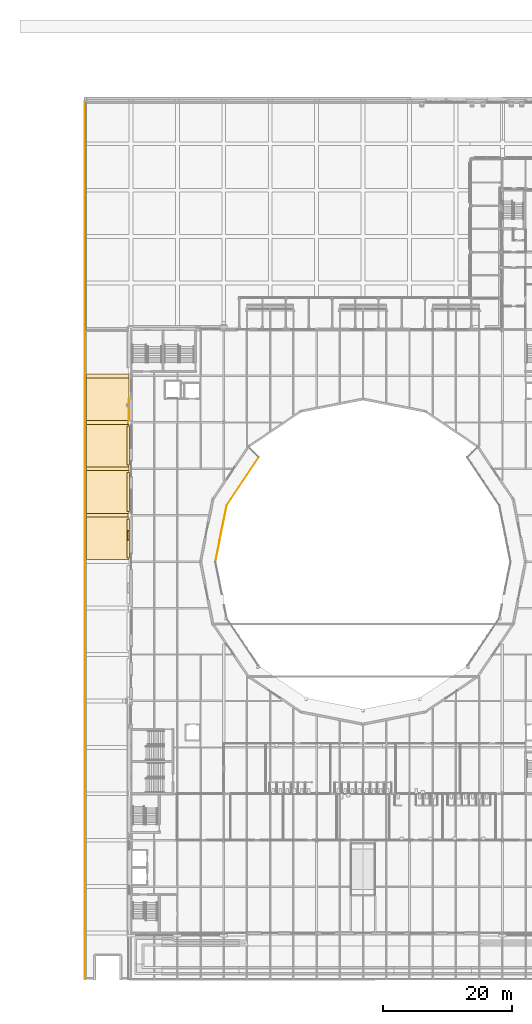
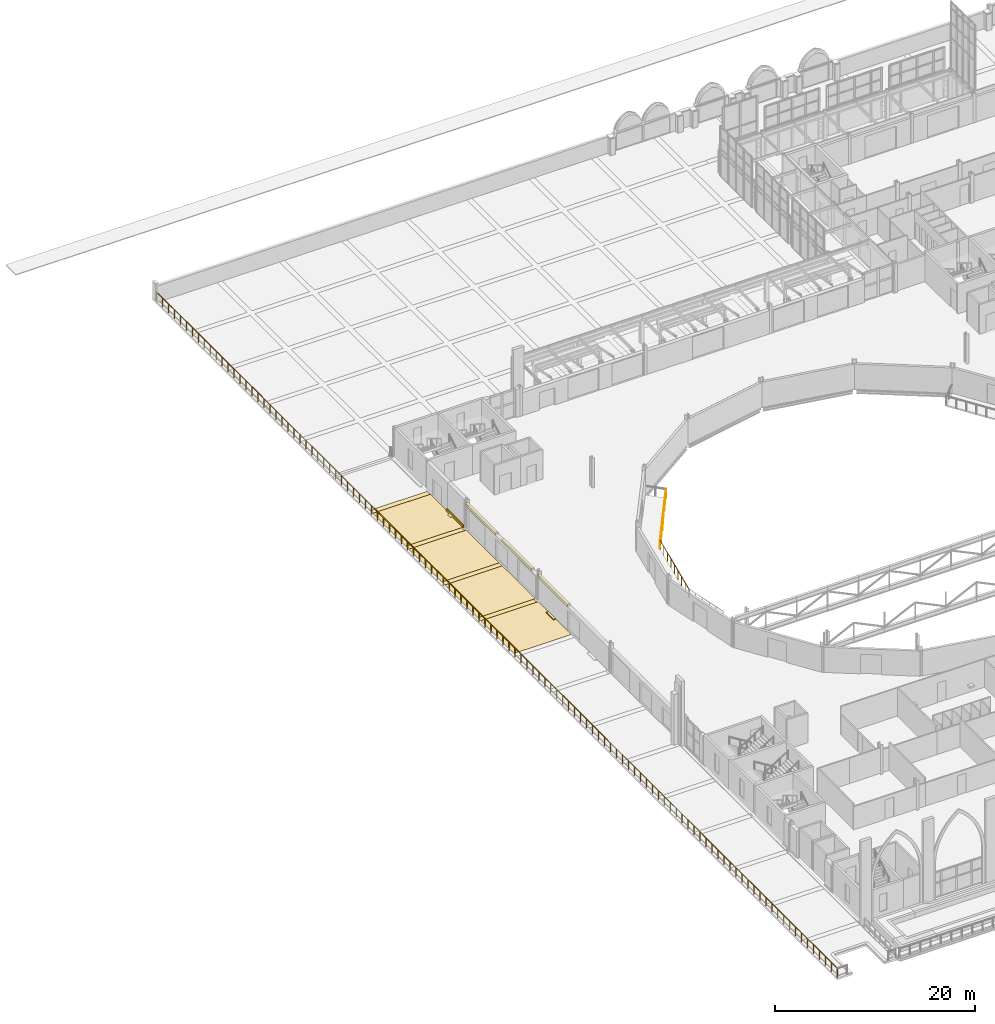
# One storey, part 110 of 143: 13 coverings, 3 railings.
"""IFC4 building model written with IfcOpenShell, lengths in metres."""

from ifc_helpers import new_model, si_unit, direction, frame, origin, origin_2d, place, context, subcontext, project, spatial, polyline, rectangle, circle, outline, extrude, material, layer, layer_set, type_object, element, save


model = new_model("IFC4")

# Units and contexts
model_context = context("Model", 3, precision=1e-05, world=origin(), true_north=direction((0.0, 1.0)))
body_context = subcontext(model_context, "Body", "Model", "MODEL_VIEW")
ifc_project = project(units=[si_unit("LENGTHUNIT", "METRE"), si_unit("AREAUNIT", "SQUARE_METRE"), si_unit("VOLUMEUNIT", "CUBIC_METRE"), si_unit("PLANEANGLEUNIT", "RADIAN"), si_unit("MASSUNIT", "GRAM", prefix="KILO")], contexts=[model_context])

# Site, building, storey
site_placement = place(None, origin())
site = spatial("IfcSite", under=ifc_project, at=site_placement, CompositionType="ELEMENT")
building_placement = place(site_placement, origin())
building = spatial("IfcBuilding", under=site, at=building_placement, Name="Kupolbacken Congress Centre", CompositionType="ELEMENT")
storey_placement = place(building_placement, frame((0.0, 0.0, 7.199951171875)))
storey = spatial("IfcBuildingStorey", under=building, at=storey_placement, Name="L02", CompositionType="ELEMENT", Elevation=7.199951171875)

# Coverings
ifc_material_1 = material(Name="Limestone cladding", Category="masonry")
ifc_layer_1 = layer(ifc_material_1, 0.1201171875)
ifc_layer_set_1 = layer_set([ifc_layer_1], Name="Limestone cladding")
covering_type_1 = type_object("IfcCoveringType", Name="CV1 limestone cladding band 120", PredefinedType="CLADDING", material=ifc_layer_set_1)
covering_1_placement = place(storey_placement, frame((6.919921875, 109.91259765625, 0.0), z_axis=(0.0, 0.0, 1.0), x_axis=(0.0, -1.0, 0.0)))
element("IfcCovering", 1, at=covering_1_placement, inside=storey, type_object=covering_type_1, Name="E/P/W/L02/288/band", PredefinedType="CLADDING", context=body_context, shape_type="SweptSolid", body=[
    extrude(rectangle(XDim=3.375, YDim=0.1201171875, at=origin_2d()), origin(), (0.0, 0.0, 1.0), 0.300048828125),
])
ifc_material_2 = material(Name="Limestone cladding", Category="masonry")
ifc_layer_2 = layer(ifc_material_2, 0.35009765625)
ifc_layer_set_2 = layer_set([ifc_layer_2], Name="Limestone cladding")
covering_type_2 = type_object("IfcCoveringType", Name="CV3 limestone pilaster strip 350", PredefinedType="CLADDING", material=ifc_layer_set_2)
for number, where, z_axis, x_axis, name in (
    (2, (6.804931640625, 90.0, 3.2998046875), (0.0, 0.0, 1.0), (0.0, 1.0, 0.0), "F/HR/P/W/string/10.8/03"),
    (3, (6.804931640625, 97.199951171875, 3.2998046875), (0.0, 0.0, 1.0), (0.0, 1.0, 0.0), "F/HR/P/W/string/10.8/04"),
    (4, (6.804931640625, 104.39990234375, 3.2998046875), (0.0, 0.0, 1.0), (0.0, 1.0, 0.0), "F/HR/P/W/string/10.8/05"),
):
    element("IfcCovering", number, at=place(storey_placement, frame(where, z_axis=z_axis, x_axis=x_axis)), inside=storey, type_object=covering_type_2, Name=name, PredefinedType="CLADDING", context=body_context, shape_type="SweptSolid", body=[
        extrude(rectangle(XDim=6.0, YDim=0.35009765625, at=origin_2d()), origin(), (0.0, 0.0, 1.0), 0.300048828125),
    ])
ifc_material_3 = material(Name="Limestone cladding", Category="masonry")
ifc_layer_3 = layer(ifc_material_3, 0.02001953125)
ifc_layer_set_3 = layer_set([ifc_layer_3], Name="Limestone cladding")
covering_type_3 = type_object("IfcCoveringType", Name="GF1 limestone paving 20", PredefinedType="FLOORING", material=ifc_layer_set_3)
covering_2_placement = place(storey_placement, origin())
element("IfcCovering", 5, at=covering_2_placement, inside=storey, type_object=covering_type_3, Name="West paving band", PredefinedType="FLOORING", context=body_context, shape_type="SweptSolid", body=[
    extrude(outline(polyline([(0.301025390625, 93.300048828125), (0.301025390625, 93.89990234375), (6.82568359375, 93.89990234375), (6.80078125, 93.86669921875), (6.776611328125, 93.826416015625), (6.756591796875, 93.78369140625), (6.740478515625, 93.7392578125), (6.729248046875, 93.693603515625), (6.722412109375, 93.647216796875), (6.719970703125, 93.60009765625), (6.722412109375, 93.552978515625), (6.729248046875, 93.50634765625), (6.740478515625, 93.460693359375), (6.756591796875, 93.416259765625), (6.776611328125, 93.373779296875), (6.80078125, 93.333251953125), (6.82568359375, 93.300048828125), (0.301025390625, 93.300048828125)])), origin(), (0.0, 0.0, 1.0), 0.02001953125),
])
covering_3_placement = place(storey_placement, origin())
element("IfcCovering", 6, at=covering_3_placement, inside=storey, type_object=covering_type_3, Name="West paving band", PredefinedType="FLOORING", context=body_context, shape_type="SweptSolid", body=[
    extrude(outline(polyline([(0.301025390625, 100.5), (0.301025390625, 101.10009765625), (6.923095703125, 101.10009765625), (6.923095703125, 100.5), (0.301025390625, 100.5)])), origin(), (0.0, 0.0, 1.0), 0.02001953125),
])
covering_4_placement = place(storey_placement, origin())
element("IfcCovering", 7, at=covering_4_placement, inside=storey, type_object=covering_type_3, Name="West paving band", PredefinedType="FLOORING", context=body_context, shape_type="SweptSolid", body=[
    extrude(outline(polyline([(0.301025390625, 107.699951171875), (0.301025390625, 108.300048828125), (6.82568359375, 108.300048828125), (6.80078125, 108.2666015625), (6.776611328125, 108.226318359375), (6.756591796875, 108.18359375), (6.740478515625, 108.139404296875), (6.729248046875, 108.09375), (6.722412109375, 108.047119140625), (6.719970703125, 108.0), (6.722412109375, 107.952880859375), (6.729248046875, 107.90625), (6.740478515625, 107.860595703125), (6.756591796875, 107.81640625), (6.776611328125, 107.773681640625), (6.80078125, 107.7333984375), (6.82568359375, 107.699951171875), (0.301025390625, 107.699951171875)])), origin(), (0.0, 0.0, 1.0), 0.02001953125),
])
covering_5_placement = place(storey_placement, origin())
element("IfcCovering", 8, at=covering_5_placement, inside=storey, type_object=covering_type_3, Name="West paving band", PredefinedType="FLOORING", context=body_context, shape_type="SweptSolid", body=[
    extrude(outline(polyline([(0.301025390625, 114.89990234375), (0.301025390625, 115.5), (6.923095703125, 115.5), (6.923095703125, 114.89990234375), (0.301025390625, 114.89990234375)])), origin(), (0.0, 0.0, 1.0), 0.02001953125),
])
ifc_material_4 = material(Name="Brick", Category="masonry")
ifc_layer_4 = layer(ifc_material_4, 0.02001953125)
ifc_layer_set_4 = layer_set([ifc_layer_4], Name="Brick")
covering_type_4 = type_object("IfcCoveringType", Name="GF2 brick paving 20", PredefinedType="FLOORING", material=ifc_layer_set_4)
covering_6_placement = place(storey_placement, origin())
element("IfcCovering", 9, at=covering_6_placement, inside=storey, type_object=covering_type_4, Name="West terrace brick paving", PredefinedType="FLOORING", context=body_context, shape_type="SweptSolid", body=[
    extrude(outline(polyline([(6.625, 110.384521484375), (6.7490234375, 110.40283203125), (6.85791015625, 110.408203125), (6.85791015625, 108.336669921875), (6.828857421875, 108.304443359375), (6.80078125, 108.2666015625), (6.82568359375, 108.300048828125), (0.301025390625, 108.300048828125), (0.301025390625, 114.89990234375), (6.923095703125, 114.89990234375), (6.923095703125, 111.60205078125), (6.85791015625, 111.60205078125), (6.85791015625, 110.923583984375), (6.65380859375, 110.953857421875), (6.625, 110.9609375), (6.625, 110.384521484375)])), origin(), (0.0, 0.0, 1.0), 0.02001953125),
])
covering_7_placement = place(storey_placement, origin())
element("IfcCovering", 10, at=covering_7_placement, inside=storey, type_object=covering_type_4, Name="West terrace brick paving", PredefinedType="FLOORING", context=body_context, shape_type="SweptSolid", body=[
    extrude(outline(polyline([(6.923095703125, 91.188720703125), (6.7490234375, 91.197265625), (6.625, 91.215576171875), (6.625, 89.747802734375), (6.86669921875, 89.78369140625), (6.923095703125, 89.786376953125), (6.923095703125, 86.699951171875), (0.301025390625, 86.699951171875), (0.301025390625, 93.300048828125), (6.82568359375, 93.300048828125), (6.860595703125, 93.260498046875), (6.8955078125, 93.22900390625), (6.923095703125, 93.20849609375), (6.923095703125, 91.188720703125)])), origin(), (0.0, 0.0, 1.0), 0.02001953125),
])
covering_8_placement = place(storey_placement, origin())
element("IfcCovering", 11, at=covering_8_placement, inside=storey, type_object=covering_type_4, Name="West terrace brick paving", PredefinedType="FLOORING", context=body_context, shape_type="SweptSolid", body=[
    extrude(outline(polyline([(6.80078125, 93.86669921875), (6.82568359375, 93.89990234375), (0.301025390625, 93.89990234375), (0.301025390625, 100.5), (6.923095703125, 100.5), (6.923095703125, 93.991455078125), (6.8955078125, 93.97119140625), (6.860595703125, 93.939453125), (6.828857421875, 93.904541015625), (6.80078125, 93.86669921875)])), origin(), (0.0, 0.0, 1.0), 0.02001953125),
])
covering_9_placement = place(storey_placement, origin())
element("IfcCovering", 12, at=covering_9_placement, inside=storey, type_object=covering_type_4, Name="West terrace brick paving", PredefinedType="FLOORING", context=body_context, shape_type="SweptSolid", body=[
    extrude(outline(polyline([(6.923095703125, 101.10009765625), (0.301025390625, 101.10009765625), (0.301025390625, 107.699951171875), (6.82568359375, 107.699951171875), (6.80078125, 107.7333984375), (6.828857421875, 107.695556640625), (6.860595703125, 107.66064453125), (6.8955078125, 107.62890625), (6.923095703125, 107.6083984375), (6.923095703125, 101.10009765625)])), origin(), (0.0, 0.0, 1.0), 0.02001953125),
])
ifc_material_5 = material(Name="Granite setts", Category="masonry")
ifc_layer_5 = layer(ifc_material_5, 0.10009765625)
ifc_layer_set_5 = layer_set([ifc_layer_5], Name="Granite setts")
covering_type_5 = type_object("IfcCoveringType", Name="GR3 granite sett paving 100", PredefinedType="FLOORING", material=ifc_layer_set_5)
covering_10_placement = place(storey_placement, origin())
element("IfcCovering", 13, at=covering_10_placement, inside=storey, type_object=covering_type_5, Name="Granite kerb edging", PredefinedType="FLOORING", context=body_context, shape_type="SweptSolid", body=[
    extrude(outline(polyline([(6.625, 91.215576171875), (6.7490234375, 91.197265625), (6.923095703125, 91.188720703125), (6.923095703125, 89.786376953125), (6.86669921875, 89.78369140625), (6.625, 89.747802734375), (6.625, 91.215576171875)])), origin(), (0.0, 0.0, 1.0), 0.10009765625),
])

# Railings
ifc_material_6 = material(Name="Steel S235", Category="steel")
railing_type = type_object("IfcRailingType", Name="RL1 guard 1100 steel balustrade", PredefinedType="GUARDRAIL", material=ifc_material_6)
railing_1_placement = place(storey_placement, frame((0.10107421875, 21.699951171875, 0.0)))
element("IfcRailing", 14, at=railing_1_placement, inside=storey, type_object=railing_type, Name="E/deckguard/002", PredefinedType="GUARDRAIL", context=body_context, shape_type="SweptSolid", body=[
    extrude(circle(Radius=0.02392578125, at=origin_2d()), frame((0.0, 0.0, 1.076171875), z_axis=(0.0, 1.0, 0.0), x_axis=(-1.0, 0.0, 0.0)), (0.0, 0.0, 1.0), 136.10009765625),
    extrude(circle(Radius=0.02099609375, at=origin_2d()), origin(), (0.0, 0.0, 1.0), 1.052001953125),
    extrude(circle(Radius=0.02099609375, at=origin_2d()), frame((0.0, 1.19384765625, 0.0)), (0.0, 0.0, 1.0), 1.052001953125),
    extrude(circle(Radius=0.02099609375, at=origin_2d()), frame((0.0, 2.3876953125, 0.0)), (0.0, 0.0, 1.0), 1.052001953125),
    extrude(circle(Radius=0.02099609375, at=origin_2d()), frame((0.0, 3.58154296875, 0.0)), (0.0, 0.0, 1.0), 1.052001953125),
    extrude(circle(Radius=0.02099609375, at=origin_2d()), frame((0.0, 4.775390625, 0.0)), (0.0, 0.0, 1.0), 1.052001953125),
    extrude(circle(Radius=0.02099609375, at=origin_2d()), frame((0.0, 5.96923828125, 0.0)), (0.0, 0.0, 1.0), 1.052001953125),
    extrude(circle(Radius=0.02099609375, at=origin_2d()), frame((0.0, 7.1630859375, 0.0)), (0.0, 0.0, 1.0), 1.052001953125),
    extrude(circle(Radius=0.02099609375, at=origin_2d()), frame((0.0, 8.35693359375, 0.0)), (0.0, 0.0, 1.0), 1.052001953125),
    extrude(circle(Radius=0.02099609375, at=origin_2d()), frame((0.0, 9.55078125, 0.0)), (0.0, 0.0, 1.0), 1.052001953125),
    extrude(circle(Radius=0.02099609375, at=origin_2d()), frame((0.0, 10.74462890625, 0.0)), (0.0, 0.0, 1.0), 1.052001953125),
    extrude(circle(Radius=0.02099609375, at=origin_2d()), frame((0.0, 11.938720703125, 0.0)), (0.0, 0.0, 1.0), 1.052001953125),
    extrude(circle(Radius=0.02099609375, at=origin_2d()), frame((0.0, 13.132568359375, 0.0)), (0.0, 0.0, 1.0), 1.052001953125),
    extrude(circle(Radius=0.02099609375, at=origin_2d()), frame((0.0, 14.326416015625, 0.0)), (0.0, 0.0, 1.0), 1.052001953125),
    extrude(circle(Radius=0.02099609375, at=origin_2d()), frame((0.0, 15.520263671875, 0.0)), (0.0, 0.0, 1.0), 1.052001953125),
    extrude(circle(Radius=0.02099609375, at=origin_2d()), frame((0.0, 16.714111328125, 0.0)), (0.0, 0.0, 1.0), 1.052001953125),
    extrude(circle(Radius=0.02099609375, at=origin_2d()), frame((0.0, 17.907958984375, 0.0)), (0.0, 0.0, 1.0), 1.052001953125),
    extrude(circle(Radius=0.02099609375, at=origin_2d()), frame((0.0, 19.101806640625, 0.0)), (0.0, 0.0, 1.0), 1.052001953125),
    extrude(circle(Radius=0.02099609375, at=origin_2d()), frame((0.0, 20.295654296875, 0.0)), (0.0, 0.0, 1.0), 1.052001953125),
    extrude(circle(Radius=0.02099609375, at=origin_2d()), frame((0.0, 21.489501953125, 0.0)), (0.0, 0.0, 1.0), 1.052001953125),
    extrude(circle(Radius=0.02099609375, at=origin_2d()), frame((0.0, 22.683349609375, 0.0)), (0.0, 0.0, 1.0), 1.052001953125),
    extrude(circle(Radius=0.02099609375, at=origin_2d()), frame((0.0, 23.877197265625, 0.0)), (0.0, 0.0, 1.0), 1.052001953125),
    extrude(circle(Radius=0.02099609375, at=origin_2d()), frame((0.0, 25.071044921875, 0.0)), (0.0, 0.0, 1.0), 1.052001953125),
    extrude(circle(Radius=0.02099609375, at=origin_2d()), frame((0.0, 26.264892578125, 0.0)), (0.0, 0.0, 1.0), 1.052001953125),
    extrude(circle(Radius=0.02099609375, at=origin_2d()), frame((0.0, 27.458740234375, 0.0)), (0.0, 0.0, 1.0), 1.052001953125),
    extrude(circle(Radius=0.02099609375, at=origin_2d()), frame((0.0, 28.652587890625, 0.0)), (0.0, 0.0, 1.0), 1.052001953125),
    extrude(circle(Radius=0.02099609375, at=origin_2d()), frame((0.0, 29.846435546875, 0.0)), (0.0, 0.0, 1.0), 1.052001953125),
    extrude(circle(Radius=0.02099609375, at=origin_2d()), frame((0.0, 31.040283203125, 0.0)), (0.0, 0.0, 1.0), 1.052001953125),
    extrude(circle(Radius=0.02099609375, at=origin_2d()), frame((0.0, 32.234130859375, 0.0)), (0.0, 0.0, 1.0), 1.052001953125),
    extrude(circle(Radius=0.02099609375, at=origin_2d()), frame((0.0, 33.427978515625, 0.0)), (0.0, 0.0, 1.0), 1.052001953125),
    extrude(circle(Radius=0.02099609375, at=origin_2d()), frame((0.0, 34.6220703125, 0.0)), (0.0, 0.0, 1.0), 1.052001953125),
    extrude(circle(Radius=0.02099609375, at=origin_2d()), frame((0.0, 35.81591796875, 0.0)), (0.0, 0.0, 1.0), 1.052001953125),
    extrude(circle(Radius=0.02099609375, at=origin_2d()), frame((0.0, 37.009765625, 0.0)), (0.0, 0.0, 1.0), 1.052001953125),
    extrude(circle(Radius=0.02099609375, at=origin_2d()), frame((0.0, 38.20361328125, 0.0)), (0.0, 0.0, 1.0), 1.052001953125),
    extrude(circle(Radius=0.02099609375, at=origin_2d()), frame((0.0, 39.3974609375, 0.0)), (0.0, 0.0, 1.0), 1.052001953125),
    extrude(circle(Radius=0.02099609375, at=origin_2d()), frame((0.0, 40.59130859375, 0.0)), (0.0, 0.0, 1.0), 1.052001953125),
    extrude(circle(Radius=0.02099609375, at=origin_2d()), frame((0.0, 41.78515625, 0.0)), (0.0, 0.0, 1.0), 1.052001953125),
    extrude(circle(Radius=0.02099609375, at=origin_2d()), frame((0.0, 42.97900390625, 0.0)), (0.0, 0.0, 1.0), 1.052001953125),
    extrude(circle(Radius=0.02099609375, at=origin_2d()), frame((0.0, 44.1728515625, 0.0)), (0.0, 0.0, 1.0), 1.052001953125),
    extrude(circle(Radius=0.02099609375, at=origin_2d()), frame((0.0, 45.36669921875, 0.0)), (0.0, 0.0, 1.0), 1.052001953125),
    extrude(circle(Radius=0.02099609375, at=origin_2d()), frame((0.0, 46.560546875, 0.0)), (0.0, 0.0, 1.0), 1.052001953125),
    extrude(circle(Radius=0.02099609375, at=origin_2d()), frame((0.0, 47.75439453125, 0.0)), (0.0, 0.0, 1.0), 1.052001953125),
    extrude(circle(Radius=0.02099609375, at=origin_2d()), frame((0.0, 48.9482421875, 0.0)), (0.0, 0.0, 1.0), 1.052001953125),
    extrude(circle(Radius=0.02099609375, at=origin_2d()), frame((0.0, 50.14208984375, 0.0)), (0.0, 0.0, 1.0), 1.052001953125),
    extrude(circle(Radius=0.02099609375, at=origin_2d()), frame((0.0, 51.3359375, 0.0)), (0.0, 0.0, 1.0), 1.052001953125),
    extrude(circle(Radius=0.02099609375, at=origin_2d()), frame((0.0, 52.52978515625, 0.0)), (0.0, 0.0, 1.0), 1.052001953125),
    extrude(circle(Radius=0.02099609375, at=origin_2d()), frame((0.0, 53.7236328125, 0.0)), (0.0, 0.0, 1.0), 1.052001953125),
    extrude(circle(Radius=0.02099609375, at=origin_2d()), frame((0.0, 54.91748046875, 0.0)), (0.0, 0.0, 1.0), 1.052001953125),
    extrude(circle(Radius=0.02099609375, at=origin_2d()), frame((0.0, 56.111328125, 0.0)), (0.0, 0.0, 1.0), 1.052001953125),
    extrude(circle(Radius=0.02099609375, at=origin_2d()), frame((0.0, 57.305419921875, 0.0)), (0.0, 0.0, 1.0), 1.052001953125),
    extrude(circle(Radius=0.02099609375, at=origin_2d()), frame((0.0, 58.499267578125, 0.0)), (0.0, 0.0, 1.0), 1.052001953125),
    extrude(circle(Radius=0.02099609375, at=origin_2d()), frame((0.0, 59.693115234375, 0.0)), (0.0, 0.0, 1.0), 1.052001953125),
    extrude(circle(Radius=0.02099609375, at=origin_2d()), frame((0.0, 60.886962890625, 0.0)), (0.0, 0.0, 1.0), 1.052001953125),
    extrude(circle(Radius=0.02099609375, at=origin_2d()), frame((0.0, 62.080810546875, 0.0)), (0.0, 0.0, 1.0), 1.052001953125),
    extrude(circle(Radius=0.02099609375, at=origin_2d()), frame((0.0, 63.274658203125, 0.0)), (0.0, 0.0, 1.0), 1.052001953125),
    extrude(circle(Radius=0.02099609375, at=origin_2d()), frame((0.0, 64.468505859375, 0.0)), (0.0, 0.0, 1.0), 1.052001953125),
    extrude(circle(Radius=0.02099609375, at=origin_2d()), frame((0.0, 65.662353515625, 0.0)), (0.0, 0.0, 1.0), 1.052001953125),
    extrude(circle(Radius=0.02099609375, at=origin_2d()), frame((0.0, 66.856201171875, 0.0)), (0.0, 0.0, 1.0), 1.052001953125),
    extrude(circle(Radius=0.02099609375, at=origin_2d()), frame((0.0, 68.050048828125, 0.0)), (0.0, 0.0, 1.0), 1.052001953125),
    extrude(circle(Radius=0.02099609375, at=origin_2d()), frame((0.0, 69.243896484375, 0.0)), (0.0, 0.0, 1.0), 1.052001953125),
    extrude(circle(Radius=0.02099609375, at=origin_2d()), frame((0.0, 70.437744140625, 0.0)), (0.0, 0.0, 1.0), 1.052001953125),
    extrude(circle(Radius=0.02099609375, at=origin_2d()), frame((0.0, 71.631591796875, 0.0)), (0.0, 0.0, 1.0), 1.052001953125),
    extrude(circle(Radius=0.02099609375, at=origin_2d()), frame((0.0, 72.825439453125, 0.0)), (0.0, 0.0, 1.0), 1.052001953125),
    extrude(circle(Radius=0.02099609375, at=origin_2d()), frame((0.0, 74.019287109375, 0.0)), (0.0, 0.0, 1.0), 1.052001953125),
    extrude(circle(Radius=0.02099609375, at=origin_2d()), frame((0.0, 75.213134765625, 0.0)), (0.0, 0.0, 1.0), 1.052001953125),
    extrude(circle(Radius=0.02099609375, at=origin_2d()), frame((0.0, 76.406982421875, 0.0)), (0.0, 0.0, 1.0), 1.052001953125),
    extrude(circle(Radius=0.02099609375, at=origin_2d()), frame((0.0, 77.600830078125, 0.0)), (0.0, 0.0, 1.0), 1.052001953125),
    extrude(circle(Radius=0.02099609375, at=origin_2d()), frame((0.0, 78.794677734375, 0.0)), (0.0, 0.0, 1.0), 1.052001953125),
    extrude(circle(Radius=0.02099609375, at=origin_2d()), frame((0.0, 79.98876953125, 0.0)), (0.0, 0.0, 1.0), 1.052001953125),
    extrude(circle(Radius=0.02099609375, at=origin_2d()), frame((0.0, 81.1826171875, 0.0)), (0.0, 0.0, 1.0), 1.052001953125),
    extrude(circle(Radius=0.02099609375, at=origin_2d()), frame((0.0, 82.37646484375, 0.0)), (0.0, 0.0, 1.0), 1.052001953125),
    extrude(circle(Radius=0.02099609375, at=origin_2d()), frame((0.0, 83.5703125, 0.0)), (0.0, 0.0, 1.0), 1.052001953125),
    extrude(circle(Radius=0.02099609375, at=origin_2d()), frame((0.0, 84.76416015625, 0.0)), (0.0, 0.0, 1.0), 1.052001953125),
    extrude(circle(Radius=0.02099609375, at=origin_2d()), frame((0.0, 85.9580078125, 0.0)), (0.0, 0.0, 1.0), 1.052001953125),
    extrude(circle(Radius=0.02099609375, at=origin_2d()), frame((0.0, 87.15185546875, 0.0)), (0.0, 0.0, 1.0), 1.052001953125),
    extrude(circle(Radius=0.02099609375, at=origin_2d()), frame((0.0, 88.345703125, 0.0)), (0.0, 0.0, 1.0), 1.052001953125),
    extrude(circle(Radius=0.02099609375, at=origin_2d()), frame((0.0, 89.53955078125, 0.0)), (0.0, 0.0, 1.0), 1.052001953125),
    extrude(circle(Radius=0.02099609375, at=origin_2d()), frame((0.0, 90.7333984375, 0.0)), (0.0, 0.0, 1.0), 1.052001953125),
    extrude(circle(Radius=0.02099609375, at=origin_2d()), frame((0.0, 91.92724609375, 0.0)), (0.0, 0.0, 1.0), 1.052001953125),
    extrude(circle(Radius=0.02099609375, at=origin_2d()), frame((0.0, 93.12109375, 0.0)), (0.0, 0.0, 1.0), 1.052001953125),
    extrude(circle(Radius=0.02099609375, at=origin_2d()), frame((0.0, 94.31494140625, 0.0)), (0.0, 0.0, 1.0), 1.052001953125),
    extrude(circle(Radius=0.02099609375, at=origin_2d()), frame((0.0, 95.5087890625, 0.0)), (0.0, 0.0, 1.0), 1.052001953125),
    extrude(circle(Radius=0.02099609375, at=origin_2d()), frame((0.0, 96.70263671875, 0.0)), (0.0, 0.0, 1.0), 1.052001953125),
    extrude(circle(Radius=0.02099609375, at=origin_2d()), frame((0.0, 97.896484375, 0.0)), (0.0, 0.0, 1.0), 1.052001953125),
    extrude(circle(Radius=0.02099609375, at=origin_2d()), frame((0.0, 99.09033203125, 0.0)), (0.0, 0.0, 1.0), 1.052001953125),
    extrude(circle(Radius=0.02099609375, at=origin_2d()), frame((0.0, 100.2841796875, 0.0)), (0.0, 0.0, 1.0), 1.052001953125),
    extrude(circle(Radius=0.02099609375, at=origin_2d()), frame((0.0, 101.47802734375, 0.0)), (0.0, 0.0, 1.0), 1.052001953125),
    extrude(circle(Radius=0.02099609375, at=origin_2d()), frame((0.0, 102.672119140625, 0.0)), (0.0, 0.0, 1.0), 1.052001953125),
    extrude(circle(Radius=0.02099609375, at=origin_2d()), frame((0.0, 103.865966796875, 0.0)), (0.0, 0.0, 1.0), 1.052001953125),
    extrude(circle(Radius=0.02099609375, at=origin_2d()), frame((0.0, 105.059814453125, 0.0)), (0.0, 0.0, 1.0), 1.052001953125),
    extrude(circle(Radius=0.02099609375, at=origin_2d()), frame((0.0, 106.253662109375, 0.0)), (0.0, 0.0, 1.0), 1.052001953125),
    extrude(circle(Radius=0.02099609375, at=origin_2d()), frame((0.0, 107.447509765625, 0.0)), (0.0, 0.0, 1.0), 1.052001953125),
    extrude(circle(Radius=0.02099609375, at=origin_2d()), frame((0.0, 108.641357421875, 0.0)), (0.0, 0.0, 1.0), 1.052001953125),
    extrude(circle(Radius=0.02099609375, at=origin_2d()), frame((0.0, 109.835205078125, 0.0)), (0.0, 0.0, 1.0), 1.052001953125),
    extrude(circle(Radius=0.02099609375, at=origin_2d()), frame((0.0, 111.029052734375, 0.0)), (0.0, 0.0, 1.0), 1.052001953125),
    extrude(circle(Radius=0.02099609375, at=origin_2d()), frame((0.0, 112.222900390625, 0.0)), (0.0, 0.0, 1.0), 1.052001953125),
    extrude(circle(Radius=0.02099609375, at=origin_2d()), frame((0.0, 113.416748046875, 0.0)), (0.0, 0.0, 1.0), 1.052001953125),
    extrude(circle(Radius=0.02099609375, at=origin_2d()), frame((0.0, 114.610595703125, 0.0)), (0.0, 0.0, 1.0), 1.052001953125),
    extrude(circle(Radius=0.02099609375, at=origin_2d()), frame((0.0, 115.804443359375, 0.0)), (0.0, 0.0, 1.0), 1.052001953125),
    extrude(circle(Radius=0.02099609375, at=origin_2d()), frame((0.0, 116.998291015625, 0.0)), (0.0, 0.0, 1.0), 1.052001953125),
    extrude(circle(Radius=0.02099609375, at=origin_2d()), frame((0.0, 118.192138671875, 0.0)), (0.0, 0.0, 1.0), 1.052001953125),
    extrude(circle(Radius=0.02099609375, at=origin_2d()), frame((0.0, 119.385986328125, 0.0)), (0.0, 0.0, 1.0), 1.052001953125),
    extrude(circle(Radius=0.02099609375, at=origin_2d()), frame((0.0, 120.579833984375, 0.0)), (0.0, 0.0, 1.0), 1.052001953125),
    extrude(circle(Radius=0.02099609375, at=origin_2d()), frame((0.0, 121.773681640625, 0.0)), (0.0, 0.0, 1.0), 1.052001953125),
    extrude(circle(Radius=0.02099609375, at=origin_2d()), frame((0.0, 122.967529296875, 0.0)), (0.0, 0.0, 1.0), 1.052001953125),
    extrude(circle(Radius=0.02099609375, at=origin_2d()), frame((0.0, 124.161376953125, 0.0)), (0.0, 0.0, 1.0), 1.052001953125),
    extrude(circle(Radius=0.02099609375, at=origin_2d()), frame((0.0, 125.35546875, 0.0)), (0.0, 0.0, 1.0), 1.052001953125),
    extrude(circle(Radius=0.02099609375, at=origin_2d()), frame((0.0, 126.54931640625, 0.0)), (0.0, 0.0, 1.0), 1.052001953125),
    extrude(circle(Radius=0.02099609375, at=origin_2d()), frame((0.0, 127.7431640625, 0.0)), (0.0, 0.0, 1.0), 1.052001953125),
    extrude(circle(Radius=0.02099609375, at=origin_2d()), frame((0.0, 128.93701171875, 0.0)), (0.0, 0.0, 1.0), 1.052001953125),
    extrude(circle(Radius=0.02099609375, at=origin_2d()), frame((0.0, 130.130859375, 0.0)), (0.0, 0.0, 1.0), 1.052001953125),
    extrude(circle(Radius=0.02099609375, at=origin_2d()), frame((0.0, 131.32470703125, 0.0)), (0.0, 0.0, 1.0), 1.052001953125),
    extrude(circle(Radius=0.02099609375, at=origin_2d()), frame((0.0, 132.5185546875, 0.0)), (0.0, 0.0, 1.0), 1.052001953125),
    extrude(circle(Radius=0.02099609375, at=origin_2d()), frame((0.0, 133.71240234375, 0.0)), (0.0, 0.0, 1.0), 1.052001953125),
    extrude(circle(Radius=0.02099609375, at=origin_2d()), frame((0.0, 134.90625, 0.0)), (0.0, 0.0, 1.0), 1.052001953125),
    extrude(circle(Radius=0.02099609375, at=origin_2d()), frame((0.0, 136.10009765625, 0.0)), (0.0, 0.0, 1.0), 1.052001953125),
])
railing_2_placement = place(storey_placement, frame((27.01025390625, 102.58984375, 0.0)))
element("IfcRailing", 15, at=railing_2_placement, inside=storey, type_object=railing_type, Name="PD/L02/ringguard/1350", PredefinedType="GUARDRAIL", context=body_context, shape_type="SweptSolid", body=[
    extrude(circle(Radius=0.02392578125, at=origin_2d()), frame((0.0, 0.0, 1.076171875), z_axis=(-0.555563902596, -0.831473842121, 0.0), x_axis=(0.831473842121, -0.555563902596, 0.0)), (0.0, 0.0, 1.0), 8.93359375),
    extrude(circle(Radius=0.02099609375, at=origin_2d()), origin(), (0.0, 0.0, 1.0), 1.052001953125),
    extrude(circle(Radius=0.02099609375, at=origin_2d()), frame((-0.620361328125, -0.928466796875, 0.0)), (0.0, 0.0, 1.0), 1.052001953125),
    extrude(circle(Radius=0.02099609375, at=origin_2d()), frame((-1.24072265625, -1.85693359375, 0.0)), (0.0, 0.0, 1.0), 1.052001953125),
    extrude(circle(Radius=0.02099609375, at=origin_2d()), frame((-1.861083984375, -2.785400390625, 0.0)), (0.0, 0.0, 1.0), 1.052001953125),
    extrude(circle(Radius=0.02099609375, at=origin_2d()), frame((-2.4814453125, -3.7138671875, 0.0)), (0.0, 0.0, 1.0), 1.052001953125),
    extrude(circle(Radius=0.02099609375, at=origin_2d()), frame((-3.10205078125, -4.642578125, 0.0)), (0.0, 0.0, 1.0), 1.052001953125),
    extrude(circle(Radius=0.02099609375, at=origin_2d()), frame((-3.722412109375, -5.571044921875, 0.0)), (0.0, 0.0, 1.0), 1.052001953125),
    extrude(circle(Radius=0.02099609375, at=origin_2d()), frame((-4.3427734375, -6.49951171875, 0.0)), (0.0, 0.0, 1.0), 1.052001953125),
    extrude(circle(Radius=0.02099609375, at=origin_2d()), frame((-4.963134765625, -7.427978515625, 0.0)), (0.0, 0.0, 1.0), 1.052001953125),
])
railing_3_placement = place(storey_placement, frame((22.047119140625, 95.161865234375, 0.0)))
element("IfcRailing", 16, at=railing_3_placement, inside=storey, type_object=railing_type, Name="PD/L02/ringguard/1575", PredefinedType="GUARDRAIL", context=body_context, shape_type="SweptSolid", body=[
    extrude(circle(Radius=0.02392578125, at=origin_2d()), frame((0.0, 0.0, 1.076171875), z_axis=(-0.195096474676, -0.980784056543, 0.0), x_axis=(0.980784056543, -0.195096474676, 0.0)), (0.0, 0.0, 1.0), 8.93359375),
    extrude(circle(Radius=0.02099609375, at=origin_2d()), origin(), (0.0, 0.0, 1.0), 1.052001953125),
    extrude(circle(Radius=0.02099609375, at=origin_2d()), frame((-0.2177734375, -1.09521484375, 0.0)), (0.0, 0.0, 1.0), 1.052001953125),
    extrude(circle(Radius=0.02099609375, at=origin_2d()), frame((-0.435791015625, -2.1904296875, 0.0)), (0.0, 0.0, 1.0), 1.052001953125),
    extrude(circle(Radius=0.02099609375, at=origin_2d()), frame((-0.653564453125, -3.28564453125, 0.0)), (0.0, 0.0, 1.0), 1.052001953125),
    extrude(circle(Radius=0.02099609375, at=origin_2d()), frame((-0.87158203125, -4.380859375, 0.0)), (0.0, 0.0, 1.0), 1.052001953125),
    extrude(circle(Radius=0.02099609375, at=origin_2d()), frame((-1.08935546875, -5.476318359375, 0.0)), (0.0, 0.0, 1.0), 1.052001953125),
    extrude(circle(Radius=0.02099609375, at=origin_2d()), frame((-1.30712890625, -6.571533203125, 0.0)), (0.0, 0.0, 1.0), 1.052001953125),
    extrude(circle(Radius=0.02099609375, at=origin_2d()), frame((-1.525146484375, -7.666748046875, 0.0)), (0.0, 0.0, 1.0), 1.052001953125),
    extrude(circle(Radius=0.02099609375, at=origin_2d()), frame((-1.742919921875, -8.761962890625, 0.0)), (0.0, 0.0, 1.0), 1.052001953125),
])

save(model, "model.ifc")
